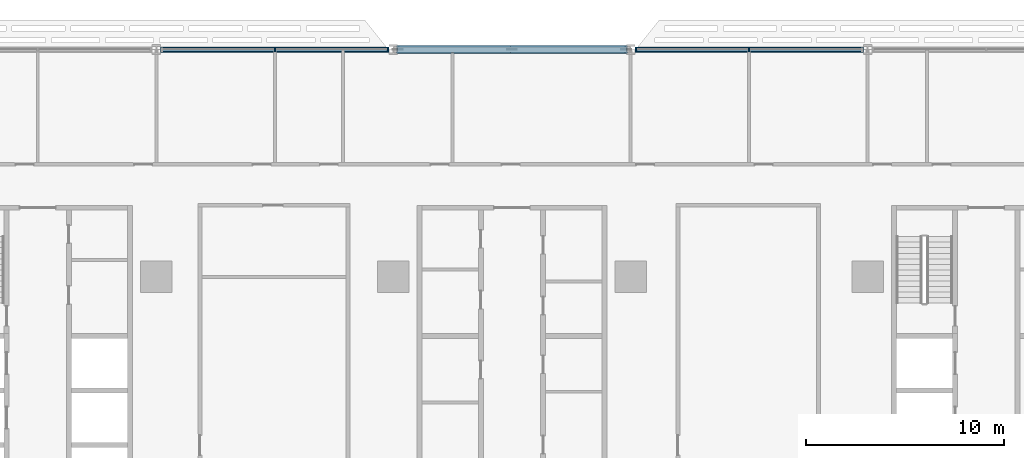
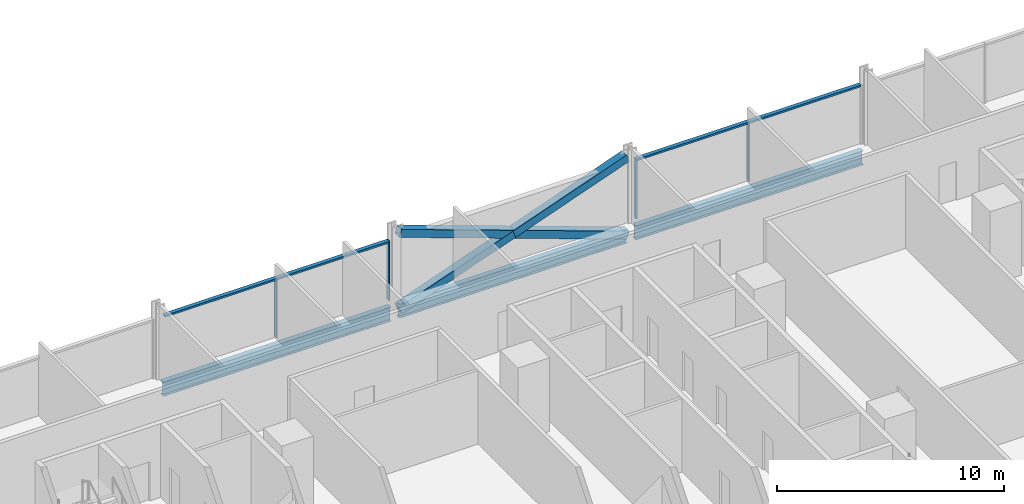
# One storey, part 6 of 28: 11 members, 3 beams, 2 elements without a shape of their own.
"""IFC4 building model written with IfcOpenShell, lengths in metres."""

from ifc_helpers import new_model, si_unit, direction, frame, origin, origin_2d, place, context, subcontext, project, spatial, rectangle, hollow_rectangle, i_section, extrude, material, material_profile, profile_set, type_object, element, aggregate, save


model = new_model("IFC4")

# Units and contexts
model_context = context("Model", 3, precision=1e-05, world=origin(), true_north=direction((0.0, 1.0)))
body_context = subcontext(model_context, "Body", "Model", "MODEL_VIEW")
ifc_project = project(units=[si_unit("LENGTHUNIT", "METRE"), si_unit("AREAUNIT", "SQUARE_METRE"), si_unit("VOLUMEUNIT", "CUBIC_METRE"), si_unit("PLANEANGLEUNIT", "RADIAN"), si_unit("MASSUNIT", "GRAM", prefix="KILO")], contexts=[model_context])

# Site, building, storey
site_placement = place(None, origin())
site = spatial("IfcSite", under=ifc_project, at=site_placement, CompositionType="ELEMENT")
building_placement = place(site_placement, origin())
building = spatial("IfcBuilding", under=site, at=building_placement, Name="Mahtab Terrace Research Tower", CompositionType="ELEMENT")
storey_placement = place(building_placement, frame((0.0, 0.0, 33.0)))
storey = spatial("IfcBuildingStorey", under=building, at=storey_placement, Name="L07", CompositionType="ELEMENT", Elevation=33.0)

# Members
ifc_material_1 = material(Name="Steel ASTM A500 Gr C", Category="steel")
ifc_material_profile_1 = material_profile(ifc_material_1, hollow_rectangle(XDim=0.406494140625, YDim=0.406494140625, WallThickness=0.01904296875, at=origin_2d()), Name="HSS16X16X3/4")
ifc_profile_set_1 = profile_set([ifc_material_profile_1], Name="Steel ASTM A500 Gr C")
member_type_1 = type_object("IfcMemberType", Name="HSS 16x16x3/4 brace XB161634", PredefinedType="BRACE", material=ifc_profile_set_1)
member_1_placement = place(storey_placement, frame((5.7841796875, 23.0, -0.64111328125), z_axis=(-0.941388097231, 0.0, 0.337325436917), x_axis=(0.0, -1.0, 0.0)))
element("IfcMember", 1, at=member_1_placement, inside=storey, type_object=member_type_1, Name="Exoskeleton brace L07 04 a", PredefinedType="BRACE", context=body_context, shape_type="SweptSolid", body=[
    extrude(hollow_rectangle(XDim=0.406494140625, YDim=0.406494140625, WallThickness=0.01904296875, at=origin_2d()), origin(), (0.0, 0.0, 1.0), 12.28857421875),
])
for number, where, z_axis, x_axis, name in (
    (2, (-5.7841796875, 23.0, -0.64111328125), (0.941381788192, 0.0, 0.337343043295), (0.0, 1.0, 0.0), "Exoskeleton brace L07 04 b1"),
    (3, (0.0, 23.0, 1.431640625), (0.941394406025, 0.0, 0.337307830185), (0.0, 1.0, 0.0), "Exoskeleton brace L07 04 b2"),
):
    element("IfcMember", number, at=place(storey_placement, frame(where, z_axis=z_axis, x_axis=x_axis)), inside=storey, type_object=member_type_1, Name=name, PredefinedType="BRACE", context=body_context, shape_type="SweptSolid", body=[
        extrude(hollow_rectangle(XDim=0.406494140625, YDim=0.406494140625, WallThickness=0.01904296875, at=origin_2d()), origin(), (0.0, 0.0, 1.0), 6.144287109375),
    ])

# Curtain wall, members
ifc_material_2 = material(Name="Laboratory ribbon curtain wall")
curtain_wall_type = type_object("IfcCurtainWallType", Name="Laboratory ribbon curtain wall", PredefinedType="NOTDEFINED", material=ifc_material_2)
curtain_wall_1_placement = place(storey_placement, origin())
curtain_wall_1 = element("IfcCurtainWall", 4, at=curtain_wall_1_placement, inside=storey, type_object=curtain_wall_type, Name="EN.L07.3.5", PredefinedType="NOTDEFINED")
ifc_material_3 = material(Name="Natural anodised aluminium", Category="aluminium")
ifc_material_profile_2 = material_profile(ifc_material_3, rectangle(XDim=0.199951171875, YDim=0.06494140625, at=origin_2d()), Name="MULLION 65x200")
ifc_profile_set_2 = profile_set([ifc_material_profile_2], Name="Natural anodised aluminium")
member_type_2 = type_object("IfcMemberType", Name="Laboratory ribbon curtain wall mullion", PredefinedType="MULLION", material=ifc_profile_set_2)
member_2_placement = place(storey_placement, frame((12.0, 23.0, 0.0), z_axis=(0.0, 0.0, 1.0), x_axis=(0.0, -1.0, 0.0)))
member_2 = element("IfcMember", 5, at=member_2_placement, type_object=member_type_2, Name="CWL-1 mullion 2", PredefinedType="MULLION", context=body_context, shape_type="SweptSolid", body=[
    extrude(rectangle(XDim=0.199951171875, YDim=0.06494140625, at=origin_2d()), origin(), (0.0, 0.0, 1.0), 3.203125),
])
member_3_placement = place(storey_placement, frame((6.281494140625, 23.0, 0.0), z_axis=(0.0, 0.0, 1.0), x_axis=(0.0, -1.0, 0.0)))
member_3 = element("IfcMember", 6, at=member_3_placement, type_object=member_type_2, Name="CWL-1 mullion 3", PredefinedType="MULLION", context=body_context, shape_type="SweptSolid", body=[
    extrude(rectangle(XDim=0.199951171875, YDim=0.06494140625, at=origin_2d()), origin(), (0.0, 0.0, 1.0), 3.203125),
])

curtain_wall_2_placement = place(storey_placement, origin())
curtain_wall_2 = element("IfcCurtainWall", 7, at=curtain_wall_2_placement, inside=storey, type_object=curtain_wall_type, Name="EN.L07.3.7", PredefinedType="NOTDEFINED")
member_4_placement = place(storey_placement, frame((-6.281494140625, 23.0, 0.0), z_axis=(0.0, 0.0, 1.0), x_axis=(0.0, -1.0, 0.0)))
member_4 = element("IfcMember", 8, at=member_4_placement, type_object=member_type_2, Name="CWL-1 mullion 1", PredefinedType="MULLION", context=body_context, shape_type="SweptSolid", body=[
    extrude(rectangle(XDim=0.199951171875, YDim=0.06494140625, at=origin_2d()), origin(), (0.0, 0.0, 1.0), 3.203125),
])
member_5_placement = place(storey_placement, frame((-12.0, 23.0, 0.0), z_axis=(0.0, 0.0, 1.0), x_axis=(0.0, -1.0, 0.0)))
member_5 = element("IfcMember", 9, at=member_5_placement, type_object=member_type_2, Name="CWL-1 mullion 2", PredefinedType="MULLION", context=body_context, shape_type="SweptSolid", body=[
    extrude(rectangle(XDim=0.199951171875, YDim=0.06494140625, at=origin_2d()), origin(), (0.0, 0.0, 1.0), 3.203125),
])

# Member
ifc_material_profile_3 = material_profile(ifc_material_3, rectangle(XDim=0.199951171875, YDim=0.10009765625, at=origin_2d()), Name="TRANSOM 100x200")
ifc_profile_set_3 = profile_set([ifc_material_profile_3], Name="Natural anodised aluminium")
member_type_3 = type_object("IfcMemberType", Name="Laboratory ribbon curtain wall transom", PredefinedType="USERDEFINED", material=ifc_profile_set_3)
member_6_placement = place(storey_placement, frame((17.68603515625, 23.0, 3.153076171875), z_axis=(-1.0, 0.0, 0.0), x_axis=(0.0, -1.0, 0.0)))
member_6 = element("IfcMember", 10, at=member_6_placement, type_object=member_type_3, Name="CWL-1 transom 1", ObjectType="TRANSOM", PredefinedType="USERDEFINED", context=body_context, shape_type="SweptSolid", body=[
    extrude(rectangle(XDim=0.199951171875, YDim=0.10009765625, at=origin_2d()), origin(), (0.0, 0.0, 1.0), 5.653564453125),
])

member_7_placement = place(storey_placement, frame((11.967529296875, 23.0, 3.153076171875), z_axis=(-1.0, 0.0, 0.0), x_axis=(0.0, -1.0, 0.0)))
member_7 = element("IfcMember", 11, at=member_7_placement, type_object=member_type_3, Name="CWL-1 transom 2", ObjectType="TRANSOM", PredefinedType="USERDEFINED", context=body_context, shape_type="SweptSolid", body=[
    extrude(rectangle(XDim=0.199951171875, YDim=0.10009765625, at=origin_2d()), origin(), (0.0, 0.0, 1.0), 5.653564453125),
])

aggregate(curtain_wall_1, [member_2, member_3, member_6, member_7])

member_8_placement = place(storey_placement, frame((-6.31396484375, 23.0, 3.153076171875), z_axis=(-1.0, 0.0, 0.0), x_axis=(0.0, -1.0, 0.0)))
member_8 = element("IfcMember", 12, at=member_8_placement, type_object=member_type_3, Name="CWL-1 transom 1", ObjectType="TRANSOM", PredefinedType="USERDEFINED", context=body_context, shape_type="SweptSolid", body=[
    extrude(rectangle(XDim=0.199951171875, YDim=0.10009765625, at=origin_2d()), origin(), (0.0, 0.0, 1.0), 5.653564453125),
])

member_9_placement = place(storey_placement, frame((-12.032470703125, 23.0, 3.153076171875), z_axis=(-1.0, 0.0, 0.0), x_axis=(0.0, -1.0, 0.0)))
member_9 = element("IfcMember", 13, at=member_9_placement, type_object=member_type_3, Name="CWL-1 transom 2", ObjectType="TRANSOM", PredefinedType="USERDEFINED", context=body_context, shape_type="SweptSolid", body=[
    extrude(rectangle(XDim=0.199951171875, YDim=0.10009765625, at=origin_2d()), origin(), (0.0, 0.0, 1.0), 5.653564453125),
])

aggregate(curtain_wall_2, [member_4, member_5, member_8, member_9])

# Beams
ifc_material_4 = material(Name="Steel ASTM A992 Gr 50", Category="steel")
ifc_material_profile_4 = material_profile(ifc_material_4, i_section(OverallWidth=0.2666015625, OverallDepth=0.7568359375, WebThickness=0.013916015625, FlangeThickness=0.019287109375, at=origin_2d()), Name="W30X108")
ifc_profile_set_4 = profile_set([ifc_material_profile_4], Name="Steel ASTM A992 Gr 50")
beam_type = type_object("IfcBeamType", Name="W30x108 beam BS30108", PredefinedType="BEAM", material=ifc_profile_set_4)
for number, where, z_axis, x_axis, name in (
    (14, (17.7841796875, 23.0, -0.718505859375), (-1.0, 0.0, 0.0), (0.0, -1.0, 0.0), "Spandrel beam L07 03"),
    (15, (5.7841796875, 23.0, -0.718505859375), (-1.0, 0.0, 0.0), (0.0, -1.0, 0.0), "Spandrel beam L07 04"),
    (16, (-6.2158203125, 23.0, -0.718505859375), (-1.0, 0.0, 0.0), (0.0, -1.0, 0.0), "Spandrel beam L07 05"),
):
    element("IfcBeam", number, at=place(storey_placement, frame(where, z_axis=z_axis, x_axis=x_axis)), inside=storey, type_object=beam_type, Name=name, PredefinedType="BEAM", context=body_context, shape_type="SweptSolid", body=[
        extrude(i_section(OverallWidth=0.2666015625, OverallDepth=0.7568359375, WebThickness=0.013916015625, FlangeThickness=0.019287109375, at=origin_2d()), origin(), (0.0, 0.0, 1.0), 11.568359375),
    ])

save(model, "model.ifc")
